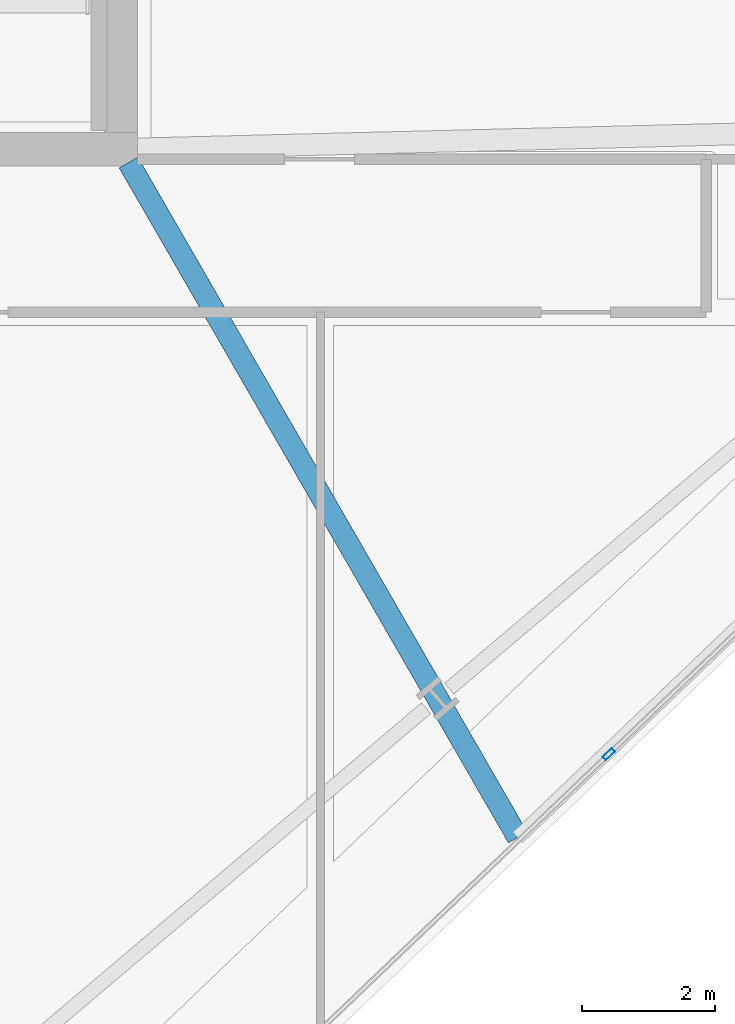
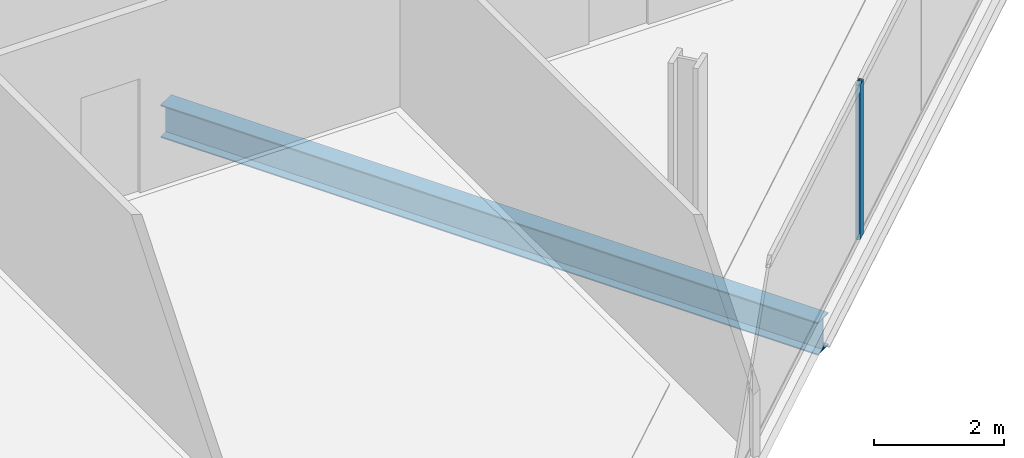
# One storey, part 8 of 33: 1 beam, 1 member, 1 element without a shape of its own.
"""IFC4 building model written with IfcOpenShell, lengths in metres."""

import ifcopenshell
import ifcopenshell.guid

model = None  # the IFC model being written
_history = None  # IfcOwnerHistory: only IFC2X3 demands one
_inside = {}  # id of a spatial element -> (the spatial element, [elements in it])
_under = {}  # id of a project, library or spatial element -> (it, [spatial elements below it])
_declared = {}  # id of a project -> (the project, [libraries it declares])
_typed = {}  # id of a type object -> (the type object, [elements of that type])
_made_of = {}  # id of a material, layer set ... -> (it, [elements and type objects made of it])


def new_model(schema):
    """Start an empty IFC model of exactly this schema.

    Asked for "IFC4X3", IfcOpenShell would pick the latest addendum, in which some entities
    have other attributes; the version numbers below select the first issue.
    IFC2X3 requires an IfcOwnerHistory on every rooted entity: one is made here for all.
    """
    global model, _history
    if schema == "IFC4X3":
        model = ifcopenshell.file(schema_version=(4, 3, 0, 0))
    else:
        model = ifcopenshell.file(schema=schema)
    _inside.clear()
    _under.clear()
    _declared.clear()
    _typed.clear()
    _made_of.clear()
    _history = None
    if model.schema == "IFC2X3":
        org = make("IfcOrganization", Name="unknown")
        user = make(
            "IfcPersonAndOrganization",
            ThePerson=make("IfcPerson", FamilyName="unknown"),
            TheOrganization=org,
        )
        app = make(
            "IfcApplication",
            ApplicationDeveloper=org,
            Version="unknown",
            ApplicationFullName="unknown",
            ApplicationIdentifier="unknown",
        )
        _history = make(
            "IfcOwnerHistory",
            OwningUser=user,
            OwningApplication=app,
            ChangeAction="ADDED",
            CreationDate=0,
        )
    return model


def make(cls, **values):
    """One entity of the class cls with the attributes given. An attribute that is None is left unset."""
    return model.create_entity(
        cls, **{name: value for name, value in values.items() if value is not None}
    )


def rooted(cls, **values):
    """An entity with a GlobalId (a new one), such as an element, a storey or a relation."""
    return make(cls, GlobalId=ifcopenshell.guid.new(), OwnerHistory=_history, **values)


def si_unit(unit_type, name, prefix=None):
    """IfcSIUnit, for example si_unit("LENGTHUNIT", "METRE", prefix="MILLI")."""
    return make("IfcSIUnit", UnitType=unit_type, Prefix=prefix, Name=name)


def assignment(units):
    """IfcUnitAssignment: the units of a project."""
    return None if units is None else make("IfcUnitAssignment", Units=units)


def point(xyz):
    """IfcCartesianPoint."""
    return None if xyz is None else make("IfcCartesianPoint", Coordinates=xyz)


def direction(xyz):
    """IfcDirection."""
    return None if xyz is None else make("IfcDirection", DirectionRatios=xyz)


def frame(location, z_axis=None, x_axis=None):
    """IfcAxis2Placement3D, a coordinate frame: its origin and axes. An axis left out is left unset."""
    return make(
        "IfcAxis2Placement3D",
        Location=point(location),
        Axis=direction(z_axis),
        RefDirection=direction(x_axis),
    )


def frame_2d(location, x_axis=None):
    """IfcAxis2Placement2D, a coordinate frame in the plane: its origin and x axis."""
    return make(
        "IfcAxis2Placement2D", Location=point(location), RefDirection=direction(x_axis)
    )


def origin():
    """The frame at (0, 0, 0) with its axes left unset."""
    return frame((0.0, 0.0, 0.0))


def origin_2d():
    """The frame at (0, 0) in the plane with its x axis left unset."""
    return frame_2d((0.0, 0.0))


def place(relative_to, where):
    """IfcLocalPlacement: puts the frame where relative to a parent placement (None: the world)."""
    return make(
        "IfcLocalPlacement", PlacementRelTo=relative_to, RelativePlacement=where
    )


def context(
    kind, dimensions, precision=None, world=None, true_north=None, identifier=None
):
    """IfcGeometricRepresentationContext, for example the 3D "Model" context."""
    return make(
        "IfcGeometricRepresentationContext",
        ContextIdentifier=identifier,
        ContextType=kind,
        CoordinateSpaceDimension=dimensions,
        Precision=precision,
        WorldCoordinateSystem=world,
        TrueNorth=true_north,
    )


def subcontext(parent, identifier, kind, view, scale=None):
    """IfcGeometricRepresentationSubContext, for example "Body" below "Model"."""
    return make(
        "IfcGeometricRepresentationSubContext",
        ContextIdentifier=identifier,
        ContextType=kind,
        ParentContext=parent,
        TargetScale=scale,
        TargetView=view,
    )


def project(units=None, contexts=None):
    """IfcProject with its units and contexts."""
    return rooted(
        "IfcProject",
        Name="project",
        RepresentationContexts=contexts,
        UnitsInContext=assignment(units),
    )


def spatial(cls, under=None, at=None, **own):
    """A site, building, storey or space (cls), placed at a placement, below another one or the project."""
    s = rooted(cls, ObjectPlacement=at, **own)
    if under is not None:
        _under.setdefault(under.id(), (under, []))[1].append(s)
    return s


def profile(cls, at=None, kind="AREA", **sizes):
    """A parametric profile (cls). Its sizes go by their IFC names, for example OverallWidth=200.0."""
    return make(cls, ProfileType=kind, Position=at, **sizes)


def hollow_rectangle(**sizes):
    """IfcRectangleHollowProfileDef."""
    return profile("IfcRectangleHollowProfileDef", **sizes)


def i_section(**sizes):
    """IfcIShapeProfileDef."""
    return profile("IfcIShapeProfileDef", **sizes)


def extrude(swept, where, along, depth):
    """IfcExtrudedAreaSolid: the profile swept, set in the frame where, extruded along a direction by depth."""
    return make(
        "IfcExtrudedAreaSolid",
        SweptArea=swept,
        Position=where,
        ExtrudedDirection=direction(along),
        Depth=depth,
    )


def shape(context_of_items, identifier, shape_type, items):
    """IfcShapeRepresentation: the items that make up one representation, for example the "Body"."""
    return make(
        "IfcShapeRepresentation",
        ContextOfItems=context_of_items,
        RepresentationIdentifier=identifier,
        RepresentationType=shape_type,
        Items=items,
    )


def material(Name=None, Category=None):
    """IfcMaterial."""
    return make("IfcMaterial", Name=Name, Category=Category)


def material_profile(
    of_material, cross_section, Name=None, Category=None, Priority=None
):
    """IfcMaterialProfile: a cross section and its material."""
    return make(
        "IfcMaterialProfile",
        Name=Name,
        Material=of_material,
        Profile=cross_section,
        Priority=Priority,
        Category=Category,
    )


def profile_set(profiles, Name=None, composite=None):
    """IfcMaterialProfileSet."""
    return make(
        "IfcMaterialProfileSet",
        Name=Name,
        MaterialProfiles=profiles,
        CompositeProfile=composite,
    )


def made_of(thing, what):
    """Note that an element or type object is made of a material, layer set ...; save() writes the relation."""
    if what is not None:
        _made_of.setdefault(what.id(), (what, []))[1].append(thing)
    return thing


def type_object(cls, material=None, **own):
    """A type object (cls), such as IfcWallType, which elements share."""
    return made_of(rooted(cls, **own), material)


def element(
    cls,
    number,
    at=None,
    inside=None,
    cuts=None,
    type_object=None,
    material=None,
    context=None,
    identifier="Body",
    shape_type=None,
    held_by="IfcProductDefinitionShape",
    body=None,
    shapes=None,
    **own,
):
    """One element of the class cls, such as IfcWall. Its Tag is "e" and its number.

    at: its placement. inside: the storey or other place that contains it. cuts: it is an
    opening in that element (IfcRelVoidsElement). A single representation is given by context,
    identifier, shape_type and body (its items); several are given by shapes. held_by: the class
    of the entity that holds the representations. save() writes the other relations.
    """
    e = rooted(cls, Tag="e%d" % number, ObjectPlacement=at, **own)
    if body is not None:
        shapes = [shape(context, identifier, shape_type, body)]
    if shapes is not None:
        e.Representation = make(held_by, Representations=shapes)
    if inside is not None:
        _inside.setdefault(inside.id(), (inside, []))[1].append(e)
    if cuts is not None:
        rooted(
            "IfcRelVoidsElement", RelatingBuildingElement=cuts, RelatedOpeningElement=e
        )
    if type_object is not None:
        _typed.setdefault(type_object.id(), (type_object, []))[1].append(e)
    return made_of(e, material)


def aggregate(whole, parts):
    """IfcRelAggregates: a whole, such as a stair, and the parts it consists of."""
    return rooted("IfcRelAggregates", RelatingObject=whole, RelatedObjects=parts)


def save(model, path):
    """Write the relations noted so far, then the file.

    IfcRelAggregates (storeys below a building ...), IfcRelContainedInSpatialStructure (elements
    in a storey), IfcRelDefinesByType, IfcRelAssociatesMaterial and IfcRelDeclares: one each for
    every whole, place, type object, material and project.
    """
    for whole, parts in _under.values():
        aggregate(whole, parts)
    for where, things in _inside.values():
        rooted(
            "IfcRelContainedInSpatialStructure",
            RelatedElements=things,
            RelatingStructure=where,
        )
    for kind, things in _typed.values():
        rooted("IfcRelDefinesByType", RelatedObjects=things, RelatingType=kind)
    for what, things in _made_of.values():
        rooted("IfcRelAssociatesMaterial", RelatedObjects=things, RelatingMaterial=what)
    for by, libraries in _declared.values():
        rooted("IfcRelDeclares", RelatingContext=by, RelatedDefinitions=libraries)
    model.write(path)


model = new_model("IFC4")

# Units and contexts
model_context = context("Model", 3, precision=1e-05, world=origin(), true_north=direction((0.0, 1.0)))
body_context = subcontext(model_context, "Body", "Model", "MODEL_VIEW")
ifc_project = project(units=[si_unit("LENGTHUNIT", "METRE"), si_unit("AREAUNIT", "SQUARE_METRE"), si_unit("VOLUMEUNIT", "CUBIC_METRE"), si_unit("PLANEANGLEUNIT", "RADIAN"), si_unit("MASSUNIT", "GRAM", prefix="KILO")], contexts=[model_context])

# Site, building, storey
site_placement = place(None, origin())
site = spatial("IfcSite", under=ifc_project, at=site_placement, CompositionType="ELEMENT")
building_placement = place(site_placement, origin())
building = spatial("IfcBuilding", under=site, at=building_placement, Name="Haldenkirk Collegiate Tower", CompositionType="ELEMENT")
storey_placement = place(building_placement, frame((0.0, 0.0, 174.449951171875)))
storey = spatial("IfcBuildingStorey", under=building, at=storey_placement, Name="L43", CompositionType="ELEMENT", Elevation=174.449951171875)

# Beam
ifc_material_1 = material(Name="Steel ASTM A992 Grade 50", Category="steel")
ifc_material_profile_1 = material_profile(ifc_material_1, i_section(OverallWidth=0.324951171875, OverallDepth=0.615966796875, WebThickness=0.013916015625, FlangeThickness=0.021484375, at=origin_2d()), Name="W24X117")
ifc_profile_set_1 = profile_set([ifc_material_profile_1], Name="Steel ASTM A992 Grade 50")
beam_type = type_object("IfcBeamType", Name="BM-GIRDER-W24X117", PredefinedType="BEAM", material=ifc_profile_set_1)
beam_placement = place(storey_placement, frame((50.9677734375, 7.6533203125, -0.597900390625), z_axis=(-0.499625021974, 0.866241789235, 0.0), x_axis=(-0.866241789235, -0.499625021974, 0.0)))
element("IfcBeam", 1, at=beam_placement, inside=storey, type_object=beam_type, Name="L43 primary floor girder 06", PredefinedType="BEAM", context=body_context, shape_type="SweptSolid", body=[
    extrude(i_section(OverallWidth=0.324951171875, OverallDepth=0.615966796875, WebThickness=0.013916015625, FlangeThickness=0.021484375, at=origin_2d()), origin(), (0.0, 0.0, 1.0), 11.71435546875),
])

# Curtain wall, member
ifc_material_2 = material(Name="Anodised architectural bronze aluminium", Category="aluminium")
curtain_wall_type = type_object("IfcCurtainWallType", Name="CW-SYS2-CONCAVE", PredefinedType="USERDEFINED", material=ifc_material_2)
curtain_wall_placement = place(storey_placement, origin())
curtain_wall = element("IfcCurtainWall", 2, at=curtain_wall_placement, inside=storey, type_object=curtain_wall_type, Name="L43 South concave recessed bronze-anodised curtain wall", ObjectType="UNITISED CURTAIN WALL", PredefinedType="USERDEFINED")
ifc_material_profile_2 = material_profile(ifc_material_2, hollow_rectangle(XDim=0.074951171875, YDim=0.18994140625, WallThickness=0.0048828125, at=origin_2d()), Name="CW-MUL-02")
ifc_profile_set_2 = profile_set([ifc_material_profile_2], Name="Anodised architectural bronze aluminium")
member_type = type_object("IfcMemberType", Name="CW-MUL-02", PredefinedType="MULLION", material=ifc_profile_set_2)
member_placement = place(storey_placement, frame((52.3359375, 8.905517578125, 0.0), z_axis=(0.0, 0.0, 1.0), x_axis=(0.690883419305, -0.722966182425, 0.0)))
member = element("IfcMember", 3, at=member_placement, type_object=member_type, Name="CW-02 mullion 3", PredefinedType="MULLION", context=body_context, shape_type="SweptSolid", body=[
    extrude(hollow_rectangle(XDim=0.074951171875, YDim=0.18994140625, WallThickness=0.0048828125, at=origin_2d()), origin(), (0.0, 0.0, 1.0), 2.9111328125),
])
aggregate(curtain_wall, [member])

save(model, "model.ifc")
